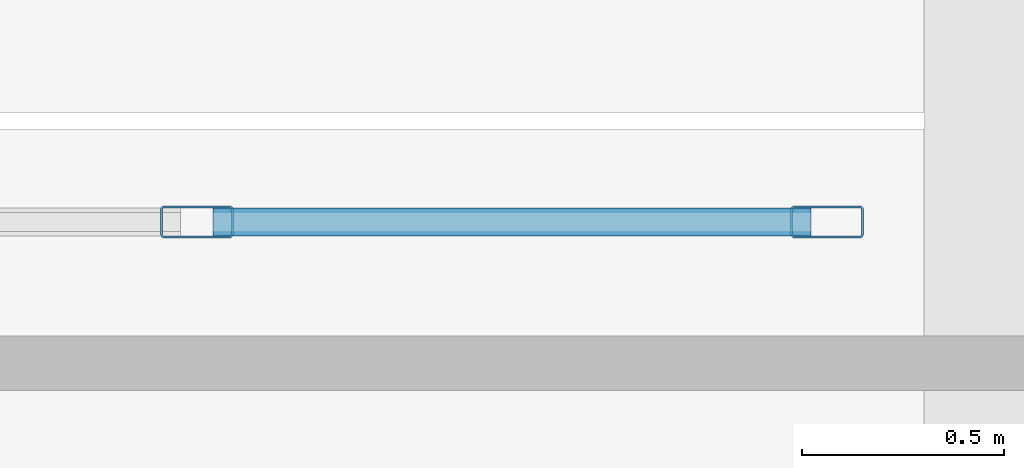
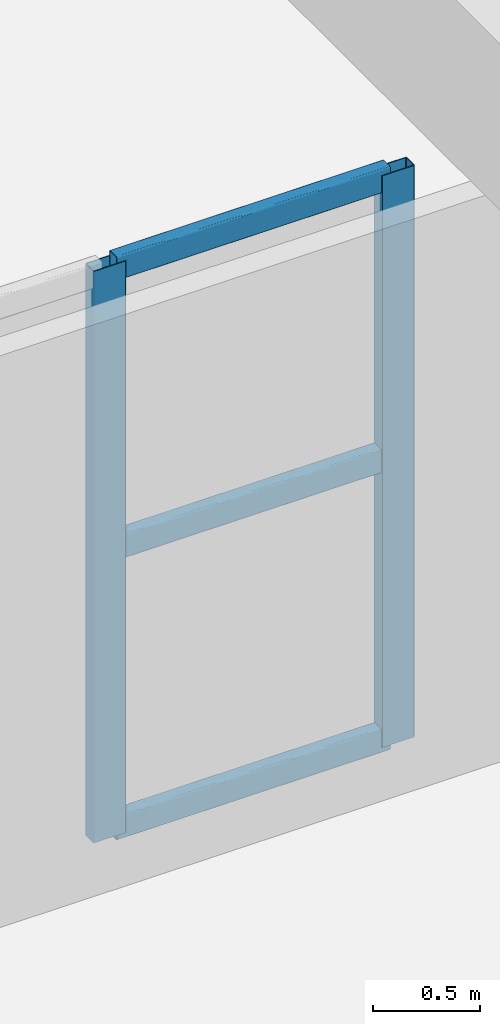
# One storey, part 37 of 92: 5 members, 1 element without a shape of its own.
"""IFC4 building model written with IfcOpenShell, lengths in metres."""

from ifc_helpers import new_model, si_unit, direction, frame, origin, origin_2d, place, context, subcontext, project, spatial, hollow_rectangle, extrude, material, layer, layer_set, material_profile, profile_set, type_object, element, aggregate, save


model = new_model("IFC4")

# Units and contexts
model_context = context("Model", 3, precision=1e-05, world=origin(), true_north=direction((0.0, 1.0)))
body_context = subcontext(model_context, "Body", "Model", "MODEL_VIEW")
ifc_project = project(units=[si_unit("LENGTHUNIT", "METRE"), si_unit("AREAUNIT", "SQUARE_METRE"), si_unit("VOLUMEUNIT", "CUBIC_METRE"), si_unit("PLANEANGLEUNIT", "RADIAN"), si_unit("MASSUNIT", "GRAM", prefix="KILO")], contexts=[model_context])

# Site, building, storey
site_placement = place(None, origin())
site = spatial("IfcSite", under=ifc_project, at=site_placement, CompositionType="ELEMENT")
building_placement = place(site_placement, origin())
building = spatial("IfcBuilding", under=site, at=building_placement, Name="Tarnavel Promenade Courthouse", CompositionType="ELEMENT")
storey_placement = place(building_placement, frame((0.0, 0.0, 5.39990234375)))
storey = spatial("IfcBuildingStorey", under=building, at=storey_placement, Name="L02", CompositionType="ELEMENT", Elevation=5.39990234375)

# Curtain wall, members
ifc_material_1 = material(Name="Thermally Broken Anodised Aluminium Curtain Wall System", Category="aluminium")
ifc_layer = layer(ifc_material_1, 0.2099609375)
ifc_layer_set = layer_set([ifc_layer], Name="Thermally Broken Anodised Aluminium Curtain Wall System")
curtain_wall_type = type_object("IfcCurtainWallType", Name="Thermally Broken Aluminium Triple-Glazed Curtain Wall CW-WG-N", PredefinedType="NOTDEFINED", material=ifc_layer_set)
curtain_wall_placement = place(storey_placement, origin())
curtain_wall = element("IfcCurtainWall", 1, at=curtain_wall_placement, inside=storey, type_object=curtain_wall_type, Name="L02 Winter-Garden North Curtain Wall 113", PredefinedType="NOTDEFINED")
ifc_material_2 = material(Name="Thermally Broken Anodised Aluminium Frame", Category="aluminium")
ifc_material_profile_1 = material_profile(ifc_material_2, hollow_rectangle(XDim=0.080078125, YDim=0.179931640625, WallThickness=0.0048828125, InnerFilletRadius=0.0048828125, OuterFilletRadius=0.010009765625, at=origin_2d()), Name="CWM 180x80x5")
ifc_profile_set_1 = profile_set([ifc_material_profile_1], Name="Thermally Broken Anodised Aluminium Frame")
member_type_1 = type_object("IfcMemberType", Name="Thermally Broken Anodised Aluminium CWM-155 (CWM 180x80x5)", PredefinedType="MULLION", material=ifc_profile_set_1)
member_1_placement = place(storey_placement, frame((112.5, 78.949951171875, 0.0), z_axis=(0.0, 0.0, 1.0), x_axis=(0.0, 1.0, 0.0)))
member_1 = element("IfcMember", 2, at=member_1_placement, type_object=member_type_1, Name="CW-03 mullion 2", PredefinedType="MULLION", context=body_context, shape_type="SweptSolid", body=[
    extrude(hollow_rectangle(XDim=0.080078125, YDim=0.179931640625, WallThickness=0.0048828125, InnerFilletRadius=0.0048828125, OuterFilletRadius=0.010009765625, at=origin_2d()), origin(), (0.0, 0.0, 1.0), 3.27001953125),
])
member_2_placement = place(storey_placement, frame((114.06005859375, 78.949951171875, 0.0), z_axis=(0.0, 0.0, 1.0), x_axis=(0.0, 1.0, 0.0)))
member_2 = element("IfcMember", 3, at=member_2_placement, type_object=member_type_1, Name="CW-03 mullion 3", PredefinedType="MULLION", context=body_context, shape_type="SweptSolid", body=[
    extrude(hollow_rectangle(XDim=0.080078125, YDim=0.179931640625, WallThickness=0.0048828125, InnerFilletRadius=0.0048828125, OuterFilletRadius=0.010009765625, at=origin_2d()), origin(), (0.0, 0.0, 1.0), 3.27001953125),
])
ifc_material_profile_2 = material_profile(ifc_material_2, hollow_rectangle(XDim=0.070068359375, YDim=0.139892578125, WallThickness=0.0048828125, InnerFilletRadius=0.0048828125, OuterFilletRadius=0.010009765625, at=origin_2d()), Name="CWT 140x70x5")
ifc_profile_set_2 = profile_set([ifc_material_profile_2], Name="Thermally Broken Anodised Aluminium Frame")
member_type_2 = type_object("IfcMemberType", Name="Thermally Broken Anodised Aluminium CWT-125 (CWT 140x70x5)", PredefinedType="USERDEFINED", material=ifc_profile_set_2)
member_3_placement = place(storey_placement, frame((112.5400390625, 78.949951171875, 0.03515625), z_axis=(1.0, 0.0, 0.0), x_axis=(0.0, 1.0, 0.0)))
member_3 = element("IfcMember", 4, at=member_3_placement, type_object=member_type_2, Name="CW-03 transom 2.1", ObjectType="TRANSOM", PredefinedType="USERDEFINED", context=body_context, shape_type="SweptSolid", body=[
    extrude(hollow_rectangle(XDim=0.070068359375, YDim=0.139892578125, WallThickness=0.0048828125, InnerFilletRadius=0.0048828125, OuterFilletRadius=0.010009765625, at=origin_2d()), origin(), (0.0, 0.0, 1.0), 1.47998046875),
])
member_4_placement = place(storey_placement, frame((112.5400390625, 78.949951171875, 1.635009765625), z_axis=(1.0, 0.0, 0.0), x_axis=(0.0, 1.0, 0.0)))
member_4 = element("IfcMember", 5, at=member_4_placement, type_object=member_type_2, Name="CW-03 transom 2.2", ObjectType="TRANSOM", PredefinedType="USERDEFINED", context=body_context, shape_type="SweptSolid", body=[
    extrude(hollow_rectangle(XDim=0.070068359375, YDim=0.139892578125, WallThickness=0.0048828125, InnerFilletRadius=0.0048828125, OuterFilletRadius=0.010009765625, at=origin_2d()), origin(), (0.0, 0.0, 1.0), 1.47998046875),
])
member_5_placement = place(storey_placement, frame((112.5400390625, 78.949951171875, 3.235107421875), z_axis=(1.0, 0.0, 0.0), x_axis=(0.0, 1.0, 0.0)))
member_5 = element("IfcMember", 6, at=member_5_placement, type_object=member_type_2, Name="CW-03 transom 2.3", ObjectType="TRANSOM", PredefinedType="USERDEFINED", context=body_context, shape_type="SweptSolid", body=[
    extrude(hollow_rectangle(XDim=0.070068359375, YDim=0.139892578125, WallThickness=0.0048828125, InnerFilletRadius=0.0048828125, OuterFilletRadius=0.010009765625, at=origin_2d()), origin(), (0.0, 0.0, 1.0), 1.47998046875),
])
aggregate(curtain_wall, [member_1, member_2, member_3, member_4, member_5])

save(model, "model.ifc")
